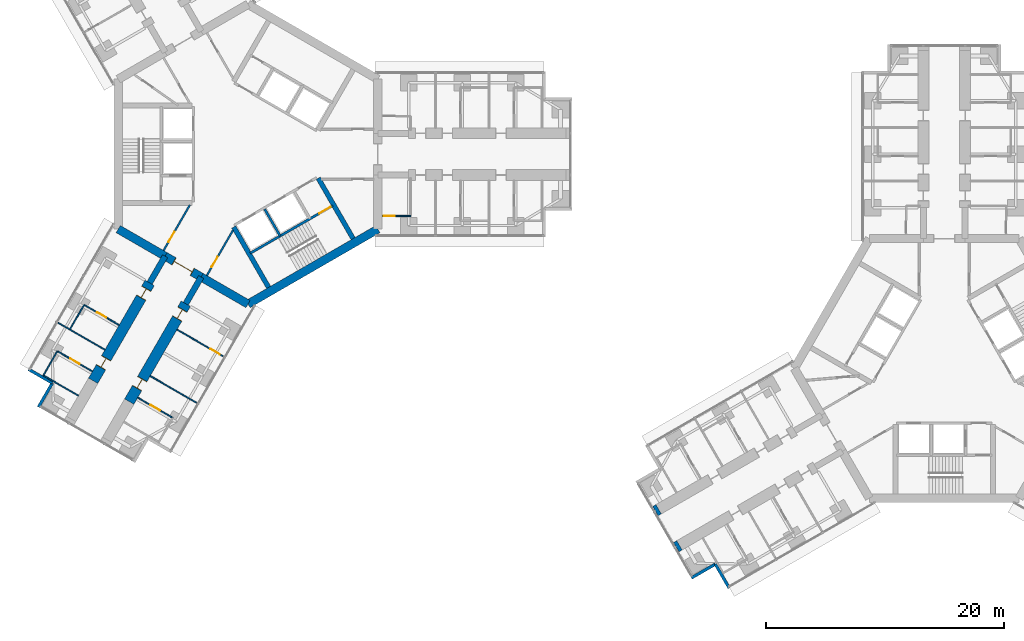
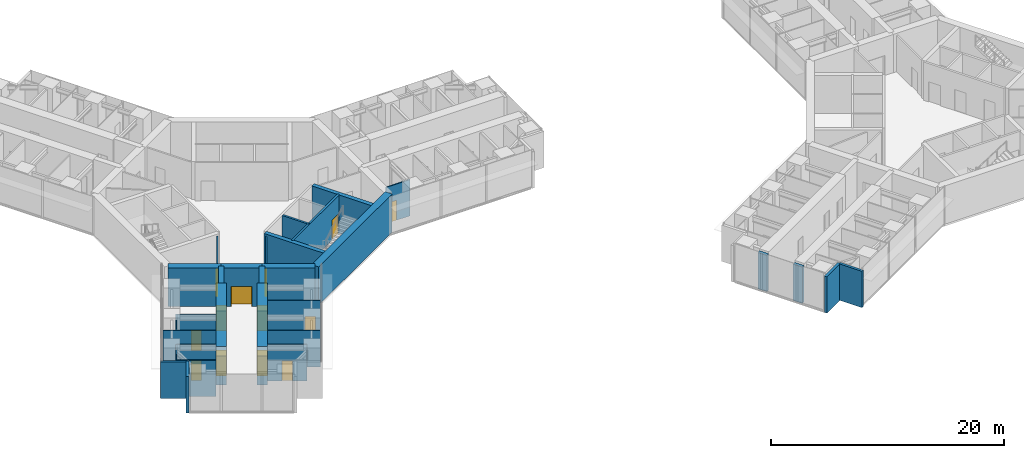
# One storey, part 16 of 25: 30 walls, 13 doors, 13 openings.
"""IFC4 building model written with IfcOpenShell, lengths in metres."""

from ifc_helpers import new_model, si_unit, direction, frame, frame_2d, origin, place, context, subcontext, project, spatial, rectangle, extrude, material, layer, layer_set, type_object, element, fill, save


model = new_model("IFC4")

# Units and contexts
model_context = context("Model", 3, precision=1e-05, world=origin(), true_north=direction((0.0, 1.0)))
body_context = subcontext(model_context, "Body", "Model", "MODEL_VIEW")
ifc_project = project(units=[si_unit("LENGTHUNIT", "METRE"), si_unit("AREAUNIT", "SQUARE_METRE"), si_unit("VOLUMEUNIT", "CUBIC_METRE"), si_unit("PLANEANGLEUNIT", "RADIAN"), si_unit("MASSUNIT", "GRAM", prefix="KILO")], contexts=[model_context])

# Site, building, storey
site_placement = place(None, origin())
site = spatial("IfcSite", under=ifc_project, at=site_placement, CompositionType="ELEMENT")
building_placement = place(site_placement, origin())
building = spatial("IfcBuilding", under=site, at=building_placement, Name="Upepo Twin Towers", CompositionType="ELEMENT")
storey_placement = place(building_placement, frame((0.0, 0.0, 84.5)))
storey = spatial("IfcBuildingStorey", under=building, at=storey_placement, Name="L20", CompositionType="ELEMENT", Elevation=84.5)

# Walls
ifc_material_1 = material(Name="Dense concrete blockwork", Category="masonry")
ifc_layer_1 = layer(ifc_material_1, 0.89990234375)
ifc_layer_set_1 = layer_set([ifc_layer_1], Name="Buttress closer 900, blockwork with fire-stopping to the curtain wall")
wall_type_1 = type_object("IfcWallType", Name="Buttress closer 900, blockwork with fire-stopping to the curtain wall", PredefinedType="PARTITIONING", material=ifc_layer_set_1)
for number, where, z_axis, x_axis, name in (
    (1, (36.252197265625, -32.865478515625, 0.0), (0.0, 0.0, 1.0), (-0.866054481515, -0.499949632511, 0.0), "T2 L20 wing B buttress closer L"),
    (2, (34.502197265625, -29.83447265625, 0.0), (0.0, 0.0, 1.0), (-0.866054481515, -0.499949632511, 0.0), "T2 L20 wing B buttress closer R"),
):
    element("IfcWall", number, at=place(storey_placement, frame(where, z_axis=z_axis, x_axis=x_axis)), inside=storey, type_object=wall_type_1, Name=name, PredefinedType="PARTITIONING", context=body_context, shape_type="SweptSolid", body=[
        extrude(rectangle(XDim=0.31005859375, YDim=0.89990234375, at=frame_2d((0.155029296875, 0.0))), origin(), (0.0, 0.0, 1.0), 3.800048828125),
    ])
ifc_material_2 = material(Name="Concrete C60/75", Category="concrete")
ifc_layer_2 = layer(ifc_material_2, 0.5)
ifc_layer_set_2 = layer_set([ifc_layer_2], Name="Concrete C60/75")
wall_type_2 = type_object("IfcWallType", Name="Buttress wall 500 RC", PredefinedType="SHEAR", material=ifc_layer_set_2)
for number, where, z_axis, x_axis, name in (
    (3, (-3.938720703125, -10.32177734375, 0.0), (0.0, 0.0, 1.0), (-0.499918158782, -0.866072649678, 0.0), "T1 wing C buttress wall L"),
    (4, (-6.9697265625, -8.57177734375, 0.0), (0.0, 0.0, 1.0), (-0.499988811324, -0.866031863473, 0.0), "T1 wing C buttress wall R"),
):
    element("IfcWall", number, at=place(storey_placement, frame(where, z_axis=z_axis, x_axis=x_axis)), inside=storey, type_object=wall_type_2, Name=name, PredefinedType="SHEAR", context=body_context, shape_type="SweptSolid", body=[
        extrude(rectangle(XDim=2.591796875, YDim=0.5, at=frame_2d((1.2958984375, 0.0))), origin(), (0.0, 0.0, 1.0), 4.0),
    ])

# Wall, openings, doors
ifc_material_3 = material(Name="Concrete C60/75", Category="concrete")
ifc_layer_3 = layer(ifc_material_3, 0.89990234375)
ifc_layer_set_3 = layer_set([ifc_layer_3], Name="Concrete C60/75")
wall_type_3 = type_object("IfcWallType", Name="Buttress wall 900 RC", PredefinedType="SHEAR", material=ifc_layer_set_3)
wall_1_placement = place(storey_placement, frame((-5.234375, -12.56640625, 0.0), z_axis=(0.0, 0.0, 1.0), x_axis=(-0.499997557548, -0.86602681393, 0.0)))
wall_1 = element("IfcWall", 5, at=wall_1_placement, inside=storey, type_object=wall_type_3, Name="T1 wing C buttress wall L part 2", PredefinedType="SHEAR", context=body_context, shape_type="SweptSolid", body=[
    extrude(rectangle(XDim=9.5, YDim=0.89990234375, at=frame_2d((4.75, 0.0))), origin(), (0.0, 0.0, 1.0), 4.0),
])
opening_1_placement = place(wall_1_placement, frame((0.550048828125, 0.0, 0.0)))
opening_1 = element("IfcOpeningElement", 6, at=opening_1_placement, cuts=wall_1, Name="Opening D14", PredefinedType="OPENING", context=body_context, shape_type="SweptSolid", body=[
    extrude(rectangle(XDim=0.89990234375, YDim=2.10009765625, at=frame_2d((0.449951171875, 1.050048828125))), frame((0.0, 0.4599609375, 0.0), z_axis=(0.0, -1.0, 0.0), x_axis=(1.0, 0.0, 0.0)), (0.0, 0.0, 1.0), 0.919921875),
])
opening_2_placement = place(wall_1_placement, frame((7.300048828125, 0.0, 0.0)))
opening_2 = element("IfcOpeningElement", 7, at=opening_2_placement, cuts=wall_1, Name="Opening D14", PredefinedType="OPENING", context=body_context, shape_type="SweptSolid", body=[
    extrude(rectangle(XDim=0.89990234375, YDim=2.10009765625, at=frame_2d((0.449951171875, 1.050048828125))), frame((0.0, 0.4599609375, 0.0), z_axis=(0.0, -1.0, 0.0), x_axis=(1.0, 0.0, 0.0)), (0.0, 0.0, 1.0), 0.919921875),
])
ifc_material_4 = material(Name="Timber doorset", Category="wood")
door_type_1 = type_object("IfcDoorType", Name="Office door 900 FD30", OperationType="SINGLE_SWING_LEFT", PredefinedType="DOOR", material=ifc_material_4)
door_1_placement = place(opening_1_placement, origin())
door_1 = element("IfcDoor", 8, at=door_1_placement, inside=storey, type_object=door_type_1, Name="T1 L20 meeting room door", OperationType="SINGLE_SWING_LEFT", OverallHeight=2.10009765625, OverallWidth=0.89990234375, PredefinedType="DOOR", context=body_context, shape_type="SweptSolid", body=[
    extrude(rectangle(XDim=0.81990234375, YDim=2.06009765625, at=frame_2d((0.449951171875, 1.030029296875))), frame((0.0, 0.02490234375, 0.0), z_axis=(0.0, -1.0, 0.0), x_axis=(1.0, 0.0, 0.0)), (0.0, 0.0, 1.0), 0.050048828125),
    extrude(rectangle(XDim=0.04, YDim=2.10009765625, at=frame_2d((0.02001953125, 1.050048828125))), frame((0.0, 0.44970703125, 0.0), z_axis=(0.0, -1.0, 0.0), x_axis=(1.0, 0.0, 0.0)), (0.0, 0.0, 1.0), 0.8994140625),
    extrude(rectangle(XDim=0.04, YDim=2.10009765625, at=frame_2d((0.8798828125, 1.050048828125))), frame((0.0, 0.44970703125, 0.0), z_axis=(0.0, -1.0, 0.0), x_axis=(1.0, 0.0, 0.0)), (0.0, 0.0, 1.0), 0.8994140625),
    extrude(rectangle(XDim=0.81990234375, YDim=0.04, at=frame_2d((0.449951171875, 2.080078125))), frame((0.0, 0.44970703125, 0.0), z_axis=(0.0, -1.0, 0.0), x_axis=(1.0, 0.0, 0.0)), (0.0, 0.0, 1.0), 0.8994140625),
])
fill(opening_1, door_1)
door_2_placement = place(opening_2_placement, origin())
door_2 = element("IfcDoor", 9, at=door_2_placement, inside=storey, type_object=door_type_1, Name="T1 L20 staff office door", OperationType="SINGLE_SWING_RIGHT", OverallHeight=2.10009765625, OverallWidth=0.89990234375, PredefinedType="DOOR", context=body_context, shape_type="SweptSolid", body=[
    extrude(rectangle(XDim=0.81990234375, YDim=2.06009765625, at=frame_2d((0.449951171875, 1.030029296875))), frame((0.0, 0.02490234375, 0.0), z_axis=(0.0, -1.0, 0.0), x_axis=(1.0, 0.0, 0.0)), (0.0, 0.0, 1.0), 0.050048828125),
    extrude(rectangle(XDim=0.04, YDim=2.10009765625, at=frame_2d((0.02001953125, 1.050048828125))), frame((0.0, 0.44970703125, 0.0), z_axis=(0.0, -1.0, 0.0), x_axis=(1.0, 0.0, 0.0)), (0.0, 0.0, 1.0), 0.8994140625),
    extrude(rectangle(XDim=0.04, YDim=2.10009765625, at=frame_2d((0.8798828125, 1.050048828125))), frame((0.0, 0.44970703125, 0.0), z_axis=(0.0, -1.0, 0.0), x_axis=(1.0, 0.0, 0.0)), (0.0, 0.0, 1.0), 0.8994140625),
    extrude(rectangle(XDim=0.81990234375, YDim=0.04, at=frame_2d((0.449951171875, 2.080078125))), frame((0.0, 0.44970703125, 0.0), z_axis=(0.0, -1.0, 0.0), x_axis=(1.0, 0.0, 0.0)), (0.0, 0.0, 1.0), 0.8994140625),
])
fill(opening_2, door_2)

wall_2_placement = place(storey_placement, frame((-8.265625, -10.81640625, 0.0), z_axis=(0.0, 0.0, 1.0), x_axis=(-0.499997557548, -0.86602681393, 0.0)))
wall_2 = element("IfcWall", 10, at=wall_2_placement, inside=storey, type_object=wall_type_3, Name="T1 wing C buttress wall R part 2", PredefinedType="SHEAR", context=body_context, shape_type="SweptSolid", body=[
    extrude(rectangle(XDim=9.5, YDim=0.89990234375, at=frame_2d((4.75, 0.0))), origin(), (0.0, 0.0, 1.0), 4.0),
])
opening_3_placement = place(wall_2_placement, frame((0.550048828125, 0.0, 0.0)))
opening_3 = element("IfcOpeningElement", 11, at=opening_3_placement, cuts=wall_2, Name="Opening D14", PredefinedType="OPENING", context=body_context, shape_type="SweptSolid", body=[
    extrude(rectangle(XDim=0.89990234375, YDim=2.10009765625, at=frame_2d((0.449951171875, 1.050048828125))), frame((0.0, 0.4599609375, 0.0), z_axis=(0.0, -1.0, 0.0), x_axis=(1.0, 0.0, 0.0)), (0.0, 0.0, 1.0), 0.919921875),
])
opening_4_placement = place(wall_2_placement, frame((7.300048828125, 0.0, 0.0)))
opening_4 = element("IfcOpeningElement", 12, at=opening_4_placement, cuts=wall_2, Name="Opening D14", PredefinedType="OPENING", context=body_context, shape_type="SweptSolid", body=[
    extrude(rectangle(XDim=0.89990234375, YDim=2.10009765625, at=frame_2d((0.449951171875, 1.050048828125))), frame((0.0, 0.4599609375, 0.0), z_axis=(0.0, -1.0, 0.0), x_axis=(1.0, 0.0, 0.0)), (0.0, 0.0, 1.0), 0.919921875),
])
door_3_placement = place(opening_3_placement, origin())
door_3 = element("IfcDoor", 13, at=door_3_placement, inside=storey, type_object=door_type_1, Name="T1 L20 open-plan staff office door", OperationType="SINGLE_SWING_LEFT", OverallHeight=2.10009765625, OverallWidth=0.89990234375, PredefinedType="DOOR", context=body_context, shape_type="SweptSolid", body=[
    extrude(rectangle(XDim=0.81990234375, YDim=2.06009765625, at=frame_2d((0.449951171875, 1.030029296875))), frame((0.0, 0.02490234375, 0.0), z_axis=(0.0, -1.0, 0.0), x_axis=(1.0, 0.0, 0.0)), (0.0, 0.0, 1.0), 0.050048828125),
    extrude(rectangle(XDim=0.04, YDim=2.10009765625, at=frame_2d((0.02001953125, 1.050048828125))), frame((0.0, 0.44970703125, 0.0), z_axis=(0.0, -1.0, 0.0), x_axis=(1.0, 0.0, 0.0)), (0.0, 0.0, 1.0), 0.8994140625),
    extrude(rectangle(XDim=0.04, YDim=2.10009765625, at=frame_2d((0.8798828125, 1.050048828125))), frame((0.0, 0.44970703125, 0.0), z_axis=(0.0, -1.0, 0.0), x_axis=(1.0, 0.0, 0.0)), (0.0, 0.0, 1.0), 0.8994140625),
    extrude(rectangle(XDim=0.81990234375, YDim=0.04, at=frame_2d((0.449951171875, 2.080078125))), frame((0.0, 0.44970703125, 0.0), z_axis=(0.0, -1.0, 0.0), x_axis=(1.0, 0.0, 0.0)), (0.0, 0.0, 1.0), 0.8994140625),
])
fill(opening_3, door_3)
door_4_placement = place(opening_4_placement, origin())
door_4 = element("IfcDoor", 14, at=door_4_placement, inside=storey, type_object=door_type_1, Name="T1 L20 postgraduate office door", OperationType="SINGLE_SWING_RIGHT", OverallHeight=2.10009765625, OverallWidth=0.89990234375, PredefinedType="DOOR", context=body_context, shape_type="SweptSolid", body=[
    extrude(rectangle(XDim=0.81990234375, YDim=2.06009765625, at=frame_2d((0.449951171875, 1.030029296875))), frame((0.0, 0.02490234375, 0.0), z_axis=(0.0, -1.0, 0.0), x_axis=(1.0, 0.0, 0.0)), (0.0, 0.0, 1.0), 0.050048828125),
    extrude(rectangle(XDim=0.04, YDim=2.10009765625, at=frame_2d((0.02001953125, 1.050048828125))), frame((0.0, 0.44970703125, 0.0), z_axis=(0.0, -1.0, 0.0), x_axis=(1.0, 0.0, 0.0)), (0.0, 0.0, 1.0), 0.8994140625),
    extrude(rectangle(XDim=0.04, YDim=2.10009765625, at=frame_2d((0.8798828125, 1.050048828125))), frame((0.0, 0.44970703125, 0.0), z_axis=(0.0, -1.0, 0.0), x_axis=(1.0, 0.0, 0.0)), (0.0, 0.0, 1.0), 0.8994140625),
    extrude(rectangle(XDim=0.81990234375, YDim=0.04, at=frame_2d((0.449951171875, 2.080078125))), frame((0.0, 0.44970703125, 0.0), z_axis=(0.0, -1.0, 0.0), x_axis=(1.0, 0.0, 0.0)), (0.0, 0.0, 1.0), 0.8994140625),
])
fill(opening_4, door_4)

# Wall
ifc_material_5 = material(Name="Concrete C60/75", Category="concrete")
ifc_layer_4 = layer(ifc_material_5, 0.699951171875)
ifc_layer_set_4 = layer_set([ifc_layer_4], Name="Concrete C60/75")
wall_type_4 = type_object("IfcWallType", Name="Core wall 700 RC", PredefinedType="SHEAR", material=ifc_layer_set_4)
wall_3_placement = place(storey_placement, frame((-10.908447265625, -6.2978515625, 0.0), z_axis=(0.0, 0.0, 1.0), x_axis=(0.866034513004, -0.499984222037, 0.0)))
element("IfcWall", 15, at=wall_3_placement, inside=storey, type_object=wall_type_4, Name="T1 core wall 240 R", PredefinedType="SHEAR", context=body_context, shape_type="SweptSolid", body=[
    extrude(rectangle(XDim=4.548095703125, YDim=0.699951171875, at=frame_2d((2.27392578125, 0.0))), origin(), (0.0, 0.0, 1.0), 4.0),
])

# Wall, opening, door
wall_4_placement = place(storey_placement, frame((-6.9697265625, -8.57177734375, 0.0), z_axis=(0.0, 0.0, 1.0), x_axis=(0.866019471182, -0.500010275428, 0.0)))
wall_4 = element("IfcWall", 16, at=wall_4_placement, inside=storey, type_object=wall_type_4, Name="T1 core wall 240", PredefinedType="SHEAR", context=body_context, shape_type="SweptSolid", body=[
    extrude(rectangle(XDim=3.5, YDim=0.699951171875, at=frame_2d((1.75, 0.0))), origin(), (0.0, 0.0, 1.0), 4.0),
])
opening_5_placement = place(wall_4_placement, frame((0.85009765625, 0.0, 0.0)))
opening_5 = element("IfcOpeningElement", 17, at=opening_5_placement, cuts=wall_4, Name="Opening D2", PredefinedType="OPENING", context=body_context, shape_type="SweptSolid", body=[
    extrude(rectangle(XDim=1.800048828125, YDim=2.10009765625, at=frame_2d((0.89990234375, 1.050048828125))), frame((0.0, 0.35986328125, 0.0), z_axis=(0.0, -1.0, 0.0), x_axis=(1.0, 0.0, 0.0)), (0.0, 0.0, 1.0), 0.719970703125),
])
ifc_material_6 = material(Name="Timber doorset", Category="wood")
door_type_2 = type_object("IfcDoorType", Name="Corridor double door 1800 FD60", OperationType="DOUBLE_DOOR_DOUBLE_SWING", PredefinedType="DOOR", material=ifc_material_6)
door_5_placement = place(opening_5_placement, origin())
door_5 = element("IfcDoor", 18, at=door_5_placement, inside=storey, type_object=door_type_2, Name="T1 L20 wing C corridor door", OperationType="DOUBLE_DOOR_DOUBLE_SWING", OverallHeight=2.10009765625, OverallWidth=1.800048828125, PredefinedType="DOOR", context=body_context, shape_type="SweptSolid", body=[
    extrude(rectangle(XDim=1.720048828125, YDim=2.06009765625, at=frame_2d((0.89990234375, 1.030029296875))), frame((0.0, 0.02490234375, 0.0), z_axis=(0.0, -1.0, 0.0), x_axis=(1.0, 0.0, 0.0)), (0.0, 0.0, 1.0), 0.050048828125),
    extrude(rectangle(XDim=0.04, YDim=2.10009765625, at=frame_2d((0.02001953125, 1.050048828125))), frame((0.0, 0.349609375, 0.0), z_axis=(0.0, -1.0, 0.0), x_axis=(1.0, 0.0, 0.0)), (0.0, 0.0, 1.0), 0.699462890625),
    extrude(rectangle(XDim=0.04, YDim=2.10009765625, at=frame_2d((1.780029296875, 1.050048828125))), frame((0.0, 0.349609375, 0.0), z_axis=(0.0, -1.0, 0.0), x_axis=(1.0, 0.0, 0.0)), (0.0, 0.0, 1.0), 0.699462890625),
    extrude(rectangle(XDim=1.720048828125, YDim=0.04, at=frame_2d((0.89990234375, 2.080078125))), frame((0.0, 0.349609375, 0.0), z_axis=(0.0, -1.0, 0.0), x_axis=(1.0, 0.0, 0.0)), (0.0, 0.0, 1.0), 0.699462890625),
])
fill(opening_5, door_5)

# Walls
wall_5_placement = place(storey_placement, frame((-3.938720703125, -10.32177734375, 0.0), z_axis=(0.0, 0.0, 1.0), x_axis=(0.866011268655, -0.500024481964, 0.0)))
element("IfcWall", 19, at=wall_5_placement, inside=storey, type_object=wall_type_4, Name="T1 core wall 240 L", PredefinedType="SHEAR", context=body_context, shape_type="SweptSolid", body=[
    extrude(rectangle(XDim=4.548095703125, YDim=0.699951171875, at=frame_2d((2.27392578125, 0.0))), origin(), (0.0, 0.0, 1.0), 4.0),
])
wall_6_placement = place(storey_placement, frame((0.0, -12.595947265625, 0.0), z_axis=(0.0, 0.0, 1.0), x_axis=(0.866021940709, 0.500005998175, 0.0)))
element("IfcWall", 20, at=wall_6_placement, inside=storey, type_object=wall_type_4, Name="T1 core wall 300", PredefinedType="SHEAR", context=body_context, shape_type="SweptSolid", body=[
    extrude(rectangle(XDim=12.595947265625, YDim=0.699951171875, at=frame_2d((6.2978515625, 0.0))), origin(), (0.0, 0.0, 1.0), 4.0),
])
ifc_material_7 = material(Name="Blockwork with anodised aluminium cladding", Category="masonry")
ifc_layer_5 = layer(ifc_material_7, 0.25)
ifc_layer_set_5 = layer_set([ifc_layer_5], Name="Notch cladding wall 250, pale metal")
wall_type_5 = type_object("IfcWallType", Name="Notch cladding wall 250, pale metal", PredefinedType="STANDARD", material=ifc_layer_set_5)
for number, where, z_axis, x_axis, name in (
    (21, (-18.456298828125, -18.0673828125, 0.0), (0.0, 0.0, 1.0), (0.865998469481, -0.500046648681, 0.0), "T1 L20 wing C notch wall R1"),
    (22, (-16.44287109375, -19.22998046875, 0.0), (0.0, 0.0, 1.0), (-0.500046648681, -0.865998469481, 0.0), "T1 L20 wing C notch wall R2"),
    (23, (40.4326171875, -36.456298828125, 0.0), (0.0, 0.0, 1.0), (-0.500046648681, 0.865998469481, 0.0), "T2 L20 wing B notch wall L1"),
    (24, (39.27001953125, -34.44287109375, 0.0), (0.0, 0.0, 1.0), (-0.865998469481, -0.500046648681, 0.0), "T2 L20 wing B notch wall L2"),
):
    element("IfcWall", number, at=place(storey_placement, frame(where, z_axis=z_axis, x_axis=x_axis)), inside=storey, type_object=wall_type_5, Name=name, PredefinedType="STANDARD", context=body_context, shape_type="SweptSolid", body=[
        extrude(rectangle(XDim=2.324951171875, YDim=0.25, at=frame_2d((1.16259765625, 0.0))), origin(), (0.0, 0.0, 1.0), 3.800048828125),
    ])

# Wall, opening, door
ifc_material_8 = material(Name="Gypsum board on steel studs", Category="steel")
ifc_layer_6 = layer(ifc_material_8, 0.10009765625)
ifc_layer_set_6 = layer_set([ifc_layer_6], Name="Office partition 100 stud")
wall_type_6 = type_object("IfcWallType", Name="Office partition 100 stud", PredefinedType="PARTITIONING", material=ifc_layer_set_6)
wall_7_placement = place(storey_placement, frame((11.258056640625, -5.199951171875, 0.0), z_axis=(0.0, 0.0, 1.0), x_axis=(1.0, 0.0, 0.0)))
wall_7 = element("IfcWall", 25, at=wall_7_placement, inside=storey, type_object=wall_type_6, Name="T1 WC bay partition AR at 11.26", PredefinedType="PARTITIONING", context=body_context, shape_type="SweptSolid", body=[
    extrude(rectangle(XDim=2.39990234375, YDim=0.10009765625, at=frame_2d((1.199951171875, 0.0))), origin(), (0.0, 0.0, 1.0), 3.800048828125),
])
opening_6_placement = place(wall_7_placement, frame((0.14990234375, 0.0, 0.0)))
opening_6 = element("IfcOpeningElement", 26, at=opening_6_placement, cuts=wall_7, Name="Opening D14", PredefinedType="OPENING", context=body_context, shape_type="SweptSolid", body=[
    extrude(rectangle(XDim=0.89990234375, YDim=2.10009765625, at=frame_2d((0.449951171875, 1.050048828125))), frame((0.0, 0.06005859375, 0.0), z_axis=(0.0, -1.0, 0.0), x_axis=(1.0, 0.0, 0.0)), (0.0, 0.0, 1.0), 0.1201171875),
])
door_6_placement = place(opening_6_placement, origin())
door_6 = element("IfcDoor", 27, at=door_6_placement, inside=storey, type_object=door_type_1, Name="T1 L20 WC bay inner room door", OperationType="SINGLE_SWING_LEFT", OverallHeight=2.10009765625, OverallWidth=0.89990234375, PredefinedType="DOOR", context=body_context, shape_type="SweptSolid", body=[
    extrude(rectangle(XDim=0.89990234375, YDim=2.10009765625, at=frame_2d((0.449951171875, 1.050048828125))), frame((0.0, 0.02490234375, 0.0), z_axis=(0.0, -1.0, 0.0), x_axis=(1.0, 0.0, 0.0)), (0.0, 0.0, 1.0), 0.050048828125),
])
fill(opening_6, door_6)

wall_8_placement = place(storey_placement, frame((-5.9697265625, -14.739990234375, 0.0), z_axis=(0.0, 0.0, 1.0), x_axis=(0.866035472144, -0.499982560684, 0.0)))
wall_8 = element("IfcWall", 28, at=wall_8_placement, inside=storey, type_object=wall_type_6, Name="T1 partition CL at 15.75", PredefinedType="PARTITIONING", context=body_context, shape_type="SweptSolid", body=[
    extrude(rectangle(XDim=4.550048828125, YDim=0.10009765625, at=frame_2d((2.27490234375, 0.0))), origin(), (0.0, 0.0, 1.0), 3.800048828125),
])
opening_7_placement = place(wall_8_placement, frame((3.25, 0.0, 0.0)))
opening_7 = element("IfcOpeningElement", 29, at=opening_7_placement, cuts=wall_8, Name="Opening D14", PredefinedType="OPENING", context=body_context, shape_type="SweptSolid", body=[
    extrude(rectangle(XDim=0.89990234375, YDim=2.10009765625, at=frame_2d((0.449951171875, 1.050048828125))), frame((0.0, 0.06005859375, 0.0), z_axis=(0.0, -1.0, 0.0), x_axis=(1.0, 0.0, 0.0)), (0.0, 0.0, 1.0), 0.1201171875),
])
door_7_placement = place(opening_7_placement, origin())
door_7 = element("IfcDoor", 30, at=door_7_placement, inside=storey, type_object=door_type_1, Name="T1 L20 connecting door", OperationType="SINGLE_SWING_RIGHT", OverallHeight=2.10009765625, OverallWidth=0.89990234375, PredefinedType="DOOR", context=body_context, shape_type="SweptSolid", body=[
    extrude(rectangle(XDim=0.89990234375, YDim=2.10009765625, at=frame_2d((0.449951171875, 1.050048828125))), frame((0.0, 0.02490234375, 0.0), z_axis=(0.0, -1.0, 0.0), x_axis=(1.0, 0.0, 0.0)), (0.0, 0.0, 1.0), 0.050048828125),
])
fill(opening_7, door_7)

# Wall
wall_9_placement = place(storey_placement, frame((-8.2197265625, -18.636962890625, 0.0), z_axis=(0.0, 0.0, 1.0), x_axis=(0.866012237902, -0.500022803284, 0.0)))
element("IfcWall", 31, at=wall_9_placement, inside=storey, type_object=wall_type_6, Name="T1 partition CL at 20.25", PredefinedType="PARTITIONING", context=body_context, shape_type="SweptSolid", body=[
    extrude(rectangle(XDim=4.550048828125, YDim=0.10009765625, at=frame_2d((2.27490234375, 0.0))), origin(), (0.0, 0.0, 1.0), 3.800048828125),
])

# Wall, opening, door
wall_10_placement = place(storey_placement, frame((-9.269775390625, -20.45556640625, 0.0), z_axis=(0.0, 0.0, 1.0), x_axis=(0.866007419912, -0.500031147688, 0.0)))
wall_10 = element("IfcWall", 32, at=wall_10_placement, inside=storey, type_object=wall_type_6, Name="T1 inner room partition CL end at 22.35", PredefinedType="PARTITIONING", context=body_context, shape_type="SweptSolid", body=[
    extrude(rectangle(XDim=3.400146484375, YDim=0.10009765625, at=frame_2d((1.7001953125, 0.0))), origin(), (0.0, 0.0, 1.0), 3.800048828125),
])
opening_8_placement = place(wall_10_placement, frame((1.25, 0.0, 0.0)))
opening_8 = element("IfcOpeningElement", 33, at=opening_8_placement, cuts=wall_10, Name="Opening D14", PredefinedType="OPENING", context=body_context, shape_type="SweptSolid", body=[
    extrude(rectangle(XDim=0.89990234375, YDim=2.10009765625, at=frame_2d((0.449951171875, 1.050048828125))), frame((0.0, 0.06005859375, 0.0), z_axis=(0.0, -1.0, 0.0), x_axis=(1.0, 0.0, 0.0)), (0.0, 0.0, 1.0), 0.1201171875),
])
door_8_placement = place(opening_8_placement, origin())
door_8 = element("IfcDoor", 34, at=door_8_placement, inside=storey, type_object=door_type_1, Name="T1 L20 inner room door", OperationType="SINGLE_SWING_LEFT", OverallHeight=2.10009765625, OverallWidth=0.89990234375, PredefinedType="DOOR", context=body_context, shape_type="SweptSolid", body=[
    extrude(rectangle(XDim=0.89990234375, YDim=2.10009765625, at=frame_2d((0.449951171875, 1.050048828125))), frame((0.0, 0.02490234375, 0.0), z_axis=(0.0, -1.0, 0.0), x_axis=(1.0, 0.0, 0.0)), (0.0, 0.0, 1.0), 0.050048828125),
])
fill(opening_8, door_8)

# Walls
wall_11_placement = place(storey_placement, frame((-12.0302734375, -16.43701171875, 0.0), z_axis=(0.0, 0.0, 1.0), x_axis=(-0.866035472144, 0.499982560684, 0.0)))
element("IfcWall", 35, at=wall_11_placement, inside=storey, type_object=wall_type_6, Name="T1 partition CR at 20.25", PredefinedType="PARTITIONING", context=body_context, shape_type="SweptSolid", body=[
    extrude(rectangle(XDim=4.550048828125, YDim=0.10009765625, at=frame_2d((2.27490234375, 0.0))), origin(), (0.0, 0.0, 1.0), 3.800048828125),
])
wall_12_placement = place(storey_placement, frame((-13.774658203125, -12.658447265625, 0.0), z_axis=(0.0, 0.0, 1.0), x_axis=(-0.500033551112, -0.866006032174, 0.0)))
element("IfcWall", 36, at=wall_12_placement, inside=storey, type_object=wall_type_6, Name="T1 inner room partition CR at 17.85", PredefinedType="PARTITIONING", context=body_context, shape_type="SweptSolid", body=[
    extrude(rectangle(XDim=2.400146484375, YDim=0.10009765625, at=frame_2d((1.2001953125, 0.0))), origin(), (0.0, 0.0, 1.0), 3.800048828125),
])

# Wall, opening, door
wall_13_placement = place(storey_placement, frame((-10.830322265625, -14.358642578125, 0.0), z_axis=(0.0, 0.0, 1.0), x_axis=(-0.865989465428, 0.500062241894, 0.0)))
wall_13 = element("IfcWall", 37, at=wall_13_placement, inside=storey, type_object=wall_type_6, Name="T1 inner room partition CR end at 17.85", PredefinedType="PARTITIONING", context=body_context, shape_type="SweptSolid", body=[
    extrude(rectangle(XDim=3.39990234375, YDim=0.10009765625, at=frame_2d((1.699951171875, 0.0))), origin(), (0.0, 0.0, 1.0), 3.800048828125),
])
opening_9_placement = place(wall_13_placement, frame((1.25, 0.0, 0.0)))
opening_9 = element("IfcOpeningElement", 38, at=opening_9_placement, cuts=wall_13, Name="Opening D14", PredefinedType="OPENING", context=body_context, shape_type="SweptSolid", body=[
    extrude(rectangle(XDim=0.89990234375, YDim=2.10009765625, at=frame_2d((0.449951171875, 1.050048828125))), frame((0.0, 0.06005859375, 0.0), z_axis=(0.0, -1.0, 0.0), x_axis=(1.0, 0.0, 0.0)), (0.0, 0.0, 1.0), 0.1201171875),
])
door_9_placement = place(opening_9_placement, origin())
door_9 = element("IfcDoor", 39, at=door_9_placement, inside=storey, type_object=door_type_1, Name="T1 L20 inner room door", OperationType="SINGLE_SWING_LEFT", OverallHeight=2.10009765625, OverallWidth=0.89990234375, PredefinedType="DOOR", context=body_context, shape_type="SweptSolid", body=[
    extrude(rectangle(XDim=0.89990234375, YDim=2.10009765625, at=frame_2d((0.449951171875, 1.050048828125))), frame((0.0, 0.02490234375, 0.0), z_axis=(0.0, -1.0, 0.0), x_axis=(1.0, 0.0, 0.0)), (0.0, 0.0, 1.0), 0.050048828125),
])
fill(opening_9, door_9)

# Wall
wall_14_placement = place(storey_placement, frame((-16.024658203125, -16.5556640625, 0.0), z_axis=(0.0, 0.0, 1.0), x_axis=(-0.500077600433, -0.865980596518, 0.0)))
element("IfcWall", 40, at=wall_14_placement, inside=storey, type_object=wall_type_6, Name="T1 inner room partition CR at 22.35", PredefinedType="PARTITIONING", context=body_context, shape_type="SweptSolid", body=[
    extrude(rectangle(XDim=2.39990234375, YDim=0.10009765625, at=frame_2d((1.199951171875, 0.0))), origin(), (0.0, 0.0, 1.0), 3.800048828125),
])

# Wall, opening, door
wall_15_placement = place(storey_placement, frame((-13.080322265625, -18.255615234375, 0.0), z_axis=(0.0, 0.0, 1.0), x_axis=(-0.866020560687, 0.500008388397, 0.0)))
wall_15 = element("IfcWall", 41, at=wall_15_placement, inside=storey, type_object=wall_type_6, Name="T1 inner room partition CR end at 22.35", PredefinedType="PARTITIONING", context=body_context, shape_type="SweptSolid", body=[
    extrude(rectangle(XDim=3.39990234375, YDim=0.10009765625, at=frame_2d((1.699951171875, 0.0))), origin(), (0.0, 0.0, 1.0), 3.800048828125),
])
opening_10_placement = place(wall_15_placement, frame((1.25, 0.0, 0.0)))
opening_10 = element("IfcOpeningElement", 42, at=opening_10_placement, cuts=wall_15, Name="Opening D14", PredefinedType="OPENING", context=body_context, shape_type="SweptSolid", body=[
    extrude(rectangle(XDim=0.89990234375, YDim=2.10009765625, at=frame_2d((0.449951171875, 1.050048828125))), frame((0.0, 0.06005859375, 0.0), z_axis=(0.0, -1.0, 0.0), x_axis=(1.0, 0.0, 0.0)), (0.0, 0.0, 1.0), 0.1201171875),
])
door_10_placement = place(opening_10_placement, origin())
door_10 = element("IfcDoor", 43, at=door_10_placement, inside=storey, type_object=door_type_1, Name="T1 L20 inner room door", OperationType="SINGLE_SWING_LEFT", OverallHeight=2.10009765625, OverallWidth=0.89990234375, PredefinedType="DOOR", context=body_context, shape_type="SweptSolid", body=[
    extrude(rectangle(XDim=0.89990234375, YDim=2.10009765625, at=frame_2d((0.449951171875, 1.050048828125))), frame((0.0, 0.02490234375, 0.0), z_axis=(0.0, -1.0, 0.0), x_axis=(1.0, 0.0, 0.0)), (0.0, 0.0, 1.0), 0.050048828125),
])
fill(opening_10, door_10)

# Walls
wall_16_placement = place(storey_placement, frame((-14.25537109375, -20.290771484375, 0.0), z_axis=(0.0, 0.0, 1.0), x_axis=(-0.866020560687, 0.500008388397, 0.0)))
element("IfcWall", 44, at=wall_16_placement, inside=storey, type_object=wall_type_6, Name="T1 inner room partition CR end at 24.75", PredefinedType="PARTITIONING", context=body_context, shape_type="SweptSolid", body=[
    extrude(rectangle(XDim=3.39990234375, YDim=0.10009765625, at=frame_2d((1.699951171875, 0.0))), origin(), (0.0, 0.0, 1.0), 3.800048828125),
])
ifc_material_9 = material(Name="Concrete C40/50", Category="concrete")
ifc_layer_7 = layer(ifc_material_9, 0.199951171875)
ifc_layer_set_7 = layer_set([ifc_layer_7], Name="Concrete C40/50")
wall_type_7 = type_object("IfcWallType", Name="Shaft wall 200 RC", PredefinedType="SHEAR", material=ifc_layer_set_7)
wall_17_placement = place(storey_placement, frame((1.3974609375, -4.620361328125, 0.0), z_axis=(0.0, 0.0, 1.0), x_axis=(0.499936506574, -0.866062058628, 0.0)))
element("IfcWall", 45, at=wall_17_placement, inside=storey, type_object=wall_type_7, Name="T1 core W300 shaft divider", PredefinedType="SHEAR", context=body_context, shape_type="SweptSolid", body=[
    extrude(rectangle(XDim=2.599853515625, YDim=0.199951171875, at=frame_2d((1.2998046875, 0.0))), origin(), (0.0, 0.0, 1.0), 4.0),
])

# Wall, opening, door
wall_18_placement = place(storey_placement, frame((0.185791015625, -8.322021484375, 0.0), z_axis=(0.0, 0.0, 1.0), x_axis=(0.866026010844, 0.49999894854, 0.0)))
wall_18 = element("IfcWall", 46, at=wall_18_placement, inside=storey, type_object=wall_type_7, Name="T1 core W300 stair wall", PredefinedType="SHEAR", context=body_context, shape_type="SweptSolid", body=[
    extrude(rectangle(XDim=8.0, YDim=0.199951171875, at=frame_2d((4.0, 0.0))), origin(), (0.0, 0.0, 1.0), 4.0),
])
opening_11_placement = place(wall_18_placement, frame((6.699951171875, 0.0, 0.0)))
opening_11 = element("IfcOpeningElement", 47, at=opening_11_placement, cuts=wall_18, Name="Opening D3", PredefinedType="OPENING", context=body_context, shape_type="SweptSolid", body=[
    extrude(rectangle(XDim=1.10009765625, YDim=2.10009765625, at=frame_2d((0.550048828125, 1.050048828125))), frame((0.0, 0.10986328125, 0.0), z_axis=(0.0, -1.0, 0.0), x_axis=(1.0, 0.0, 0.0)), (0.0, 0.0, 1.0), 0.219970703125),
])
ifc_material_10 = material(Name="Timber doorset", Category="wood")
door_type_3 = type_object("IfcDoorType", Name="Stair door 1100 FD60", OperationType="SINGLE_SWING_LEFT", PredefinedType="DOOR", material=ifc_material_10)
door_11_placement = place(opening_11_placement, origin())
door_11 = element("IfcDoor", 48, at=door_11_placement, inside=storey, type_object=door_type_3, Name="T1 L20 stair door", OperationType="SINGLE_SWING_RIGHT", OverallHeight=2.10009765625, OverallWidth=1.10009765625, PredefinedType="DOOR", context=body_context, shape_type="SweptSolid", body=[
    extrude(rectangle(XDim=1.10009765625, YDim=2.10009765625, at=frame_2d((0.550048828125, 1.050048828125))), frame((0.0, 0.02490234375, 0.0), z_axis=(0.0, -1.0, 0.0), x_axis=(1.0, 0.0, 0.0)), (0.0, 0.0, 1.0), 0.050048828125),
])
fill(opening_11, door_11)

# Walls
ifc_material_11 = material(Name="Concrete C40/50", Category="concrete")
ifc_layer_8 = layer(ifc_material_11, 0.39990234375)
ifc_layer_set_8 = layer_set([ifc_layer_8], Name="Concrete C40/50")
wall_type_8 = type_object("IfcWallType", Name="Shaft wall 400 RC", PredefinedType="SHEAR", material=ifc_layer_set_8)
for number, where, z_axis, x_axis, name in (
    (49, (5.900634765625, -2.020263671875, 0.0), (0.0, 0.0, 1.0), (0.500002627198, -0.866023886965, 0.0), "T1 core W300 side wall N"),
    (50, (-1.20068359375, -6.120361328125, 0.0), (0.0, 0.0, 1.0), (0.500002627198, -0.866023886965, 0.0), "T1 core W300 side wall S"),
):
    element("IfcWall", number, at=place(storey_placement, frame(where, z_axis=z_axis, x_axis=x_axis)), inside=storey, type_object=wall_type_8, Name=name, PredefinedType="SHEAR", context=body_context, shape_type="SweptSolid", body=[
        extrude(rectangle(XDim=5.8583984375, YDim=0.39990234375, at=frame_2d((2.92919921875, 0.0))), origin(), (0.0, 0.0, 1.0), 4.0),
    ])

# Wall, opening, door
ifc_material_12 = material(Name="Gypsum board on steel studs", Category="steel")
ifc_layer_9 = layer(ifc_material_12, 0.14990234375)
ifc_layer_set_9 = layer_set([ifc_layer_9], Name="Teaching partition 150 acoustic")
wall_type_9 = type_object("IfcWallType", Name="Teaching partition 150 acoustic", PredefinedType="PARTITIONING", material=ifc_layer_set_9)
wall_19_placement = place(storey_placement, frame((-1.252685546875, -6.36962890625, 0.0), z_axis=(0.0, 0.0, 1.0), x_axis=(-0.500007369519, -0.866021148949, 0.0)))
wall_19 = element("IfcWall", 51, at=wall_19_placement, inside=storey, type_object=wall_type_9, Name="T1 core room partition 1", PredefinedType="PARTITIONING", context=body_context, shape_type="SweptSolid", body=[
    extrude(rectangle(XDim=4.42578125, YDim=0.14990234375, at=frame_2d((2.212890625, 0.0))), origin(), (0.0, 0.0, 1.0), 3.800048828125),
])
opening_12_placement = place(wall_19_placement, frame((2.597900390625, 0.0, 0.0)))
opening_12 = element("IfcOpeningElement", 52, at=opening_12_placement, cuts=wall_19, Name="Opening D1", PredefinedType="OPENING", context=body_context, shape_type="SweptSolid", body=[
    extrude(rectangle(XDim=1.0, YDim=2.10009765625, at=frame_2d((0.5, 1.050048828125))), frame((0.0, 0.0849609375, 0.0), z_axis=(0.0, -1.0, 0.0), x_axis=(1.0, 0.0, 0.0)), (0.0, 0.0, 1.0), 0.169921875),
])
ifc_material_13 = material(Name="Timber doorset", Category="wood")
door_type_4 = type_object("IfcDoorType", Name="Room door 1000 FD30", OperationType="SINGLE_SWING_LEFT", PredefinedType="DOOR", material=ifc_material_13)
door_12_placement = place(opening_12_placement, origin())
door_12 = element("IfcDoor", 53, at=door_12_placement, inside=storey, type_object=door_type_4, Name="T1 L20 core room door K2", OperationType="SINGLE_SWING_RIGHT", OverallHeight=2.10009765625, OverallWidth=1.0, PredefinedType="DOOR", context=body_context, shape_type="SweptSolid", body=[
    extrude(rectangle(XDim=1.0, YDim=2.10009765625, at=frame_2d((0.5, 1.050048828125))), frame((0.0, 0.02490234375, 0.0), z_axis=(0.0, -1.0, 0.0), x_axis=(1.0, 0.0, 0.0)), (0.0, 0.0, 1.0), 0.050048828125),
])
fill(opening_12, door_12)

wall_20_placement = place(storey_placement, frame((-7.102783203125, -8.1025390625, 0.0), z_axis=(0.0, 0.0, 1.0), x_axis=(0.500007369519, 0.866021148949, 0.0)))
wall_20 = element("IfcWall", 54, at=wall_20_placement, inside=storey, type_object=wall_type_9, Name="T1 core room partition 2", PredefinedType="PARTITIONING", context=body_context, shape_type="SweptSolid", body=[
    extrude(rectangle(XDim=4.42578125, YDim=0.14990234375, at=frame_2d((2.212890625, 0.0))), origin(), (0.0, 0.0, 1.0), 3.800048828125),
])
opening_13_placement = place(wall_20_placement, frame((0.82763671875, 0.0, 0.0)))
opening_13 = element("IfcOpeningElement", 55, at=opening_13_placement, cuts=wall_20, Name="Opening D1", PredefinedType="OPENING", context=body_context, shape_type="SweptSolid", body=[
    extrude(rectangle(XDim=1.0, YDim=2.10009765625, at=frame_2d((0.5, 1.050048828125))), frame((0.0, 0.0849609375, 0.0), z_axis=(0.0, -1.0, 0.0), x_axis=(1.0, 0.0, 0.0)), (0.0, 0.0, 1.0), 0.169921875),
])
door_13_placement = place(opening_13_placement, origin())
door_13 = element("IfcDoor", 56, at=door_13_placement, inside=storey, type_object=door_type_4, Name="T1 L20 core room door K1", OperationType="SINGLE_SWING_LEFT", OverallHeight=2.10009765625, OverallWidth=1.0, PredefinedType="DOOR", context=body_context, shape_type="SweptSolid", body=[
    extrude(rectangle(XDim=1.0, YDim=2.10009765625, at=frame_2d((0.5, 1.050048828125))), frame((0.0, 0.02490234375, 0.0), z_axis=(0.0, -1.0, 0.0), x_axis=(1.0, 0.0, 0.0)), (0.0, 0.0, 1.0), 0.050048828125),
])
fill(opening_13, door_13)

save(model, "model.ifc")
